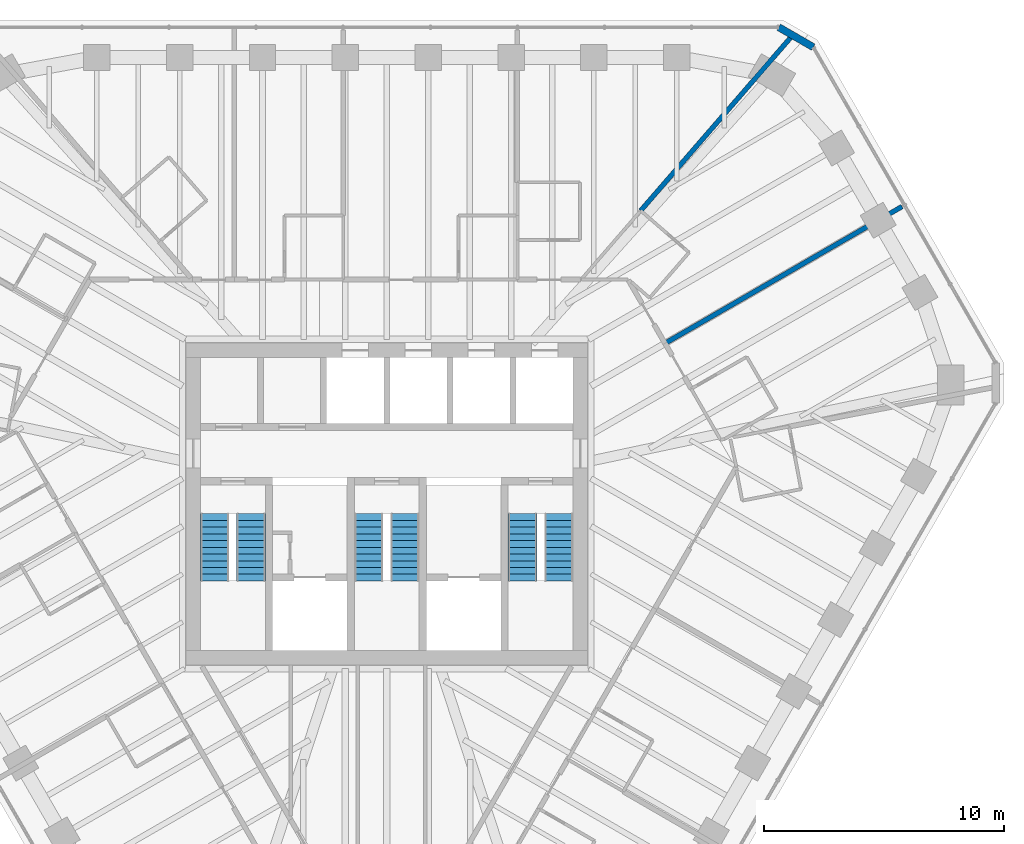
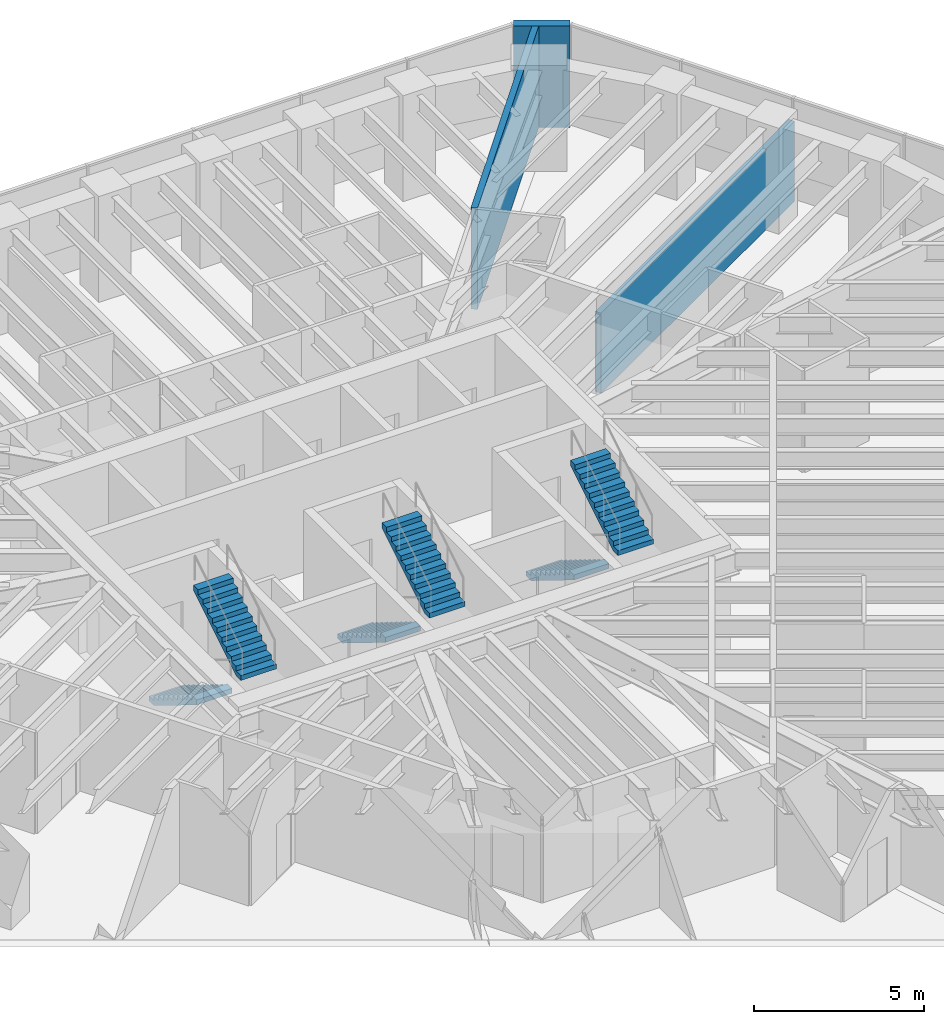
# One storey, part 13 of 14: 6 stair flights, 3 walls, 3 elements without a shape of their own.
"""IFC4 building model written with IfcOpenShell, lengths in metres."""

from ifc_helpers import new_model, si_unit, direction, frame, frame_2d, origin, place, context, subcontext, project, spatial, polyline, rectangle, outline, extrude, material, layer, layer_set, type_object, element, aggregate, save


model = new_model("IFC4")

# Units and contexts
model_context = context("Model", 3, precision=1e-05, world=origin(), true_north=direction((0.0, 1.0)))
body_context = subcontext(model_context, "Body", "Model", "MODEL_VIEW")
ifc_project = project(units=[si_unit("LENGTHUNIT", "METRE"), si_unit("AREAUNIT", "SQUARE_METRE"), si_unit("VOLUMEUNIT", "CUBIC_METRE"), si_unit("PLANEANGLEUNIT", "RADIAN"), si_unit("MASSUNIT", "GRAM", prefix="KILO")], contexts=[model_context])

# Site, building, storey
site_placement = place(None, origin())
site = spatial("IfcSite", under=ifc_project, at=site_placement, CompositionType="ELEMENT")
building_placement = place(site_placement, origin())
building = spatial("IfcBuilding", under=site, at=building_placement, Name="Sandreach Pilgrim Tower", CompositionType="ELEMENT")
storey_placement = place(building_placement, frame((0.0, 0.0, 283.60009765625)))
storey = spatial("IfcBuildingStorey", under=building, at=storey_placement, Name="L71", CompositionType="ELEMENT", Elevation=283.60009765625)

# Walls
ifc_material_1 = material(Name="Double steel stud acoustic wall, gypsum board", Category="steel")
ifc_layer_1 = layer(ifc_material_1, 0.199951171875)
ifc_layer_set_1 = layer_set([ifc_layer_1], Name="Party wall 200")
wall_type_1 = type_object("IfcWallType", Name="Party wall 200", PredefinedType="PARTITIONING", material=ifc_layer_set_1)
wall_1_placement = place(storey_placement, frame((10.56005859375, 12.199951171875, 0.0), z_axis=(0.0, 0.0, 1.0), x_axis=(0.654769010763, 0.7558290432, 0.0)))
element("IfcWall", 1, at=wall_1_placement, inside=storey, type_object=wall_type_1, Name="Party wall L71-100", PredefinedType="PARTITIONING", context=body_context, shape_type="SweptSolid", body=[
    extrude(rectangle(XDim=9.66796875, YDim=0.199951171875, at=frame_2d((4.833984375, 0.0))), origin(), (0.0, 0.0, 1.0), 3.639892578125),
])
wall_2_placement = place(storey_placement, frame((21.426025390625, 12.3701171875, 0.0), z_axis=(0.0, 0.0, 1.0), x_axis=(-0.866034991525, -0.499983393178, 0.0)))
element("IfcWall", 2, at=wall_2_placement, inside=storey, type_object=wall_type_1, Name="Party wall L71-119", PredefinedType="PARTITIONING", context=body_context, shape_type="SweptSolid", body=[
    extrude(rectangle(XDim=11.36572265625, YDim=0.199951171875, at=frame_2d((5.682861328125, 0.0))), origin(), (0.0, 0.0, 1.0), 2.8779296875),
])
ifc_material_2 = material(Name="Terracotta rainscreen on concrete", Category="masonry")
ifc_layer_2 = layer(ifc_material_2, 0.300048828125)
ifc_layer_set_2 = layer_set([ifc_layer_2], Name="Terracotta chamfer pier")
wall_type_2 = type_object("IfcWallType", Name="Terracotta chamfer pier", PredefinedType="SOLIDWALL", material=ifc_layer_set_2)
wall_3_placement = place(storey_placement, frame((16.29833984375, 19.826416015625, 0.0), z_axis=(0.0, 0.0, 1.0), x_axis=(0.866026405774, -0.499998264499, 0.0)))
element("IfcWall", 3, at=wall_3_placement, inside=storey, type_object=wall_type_2, Name="Chamfer pier L71 N", PredefinedType="SOLIDWALL", context=body_context, shape_type="SweptSolid", body=[
    extrude(rectangle(XDim=1.66015625, YDim=0.300048828125, at=frame_2d((0.830078125, 0.0))), origin(), (0.0, 0.0, 1.0), 3.639892578125),
])

# Stair, stair flights
ifc_material_3 = material(Name="Concrete 8000 psi", Category="concrete")
stair_type = type_object("IfcStairType", Name="Core exit stair", PredefinedType="HALF_TURN_STAIR", material=ifc_material_3)
stair_1_placement = place(storey_placement, origin())
stair_1 = element("IfcStair", 4, at=stair_1_placement, inside=storey, type_object=stair_type, Name="Exit stair ST1 L71", PredefinedType="HALF_TURN_STAIR")
ifc_material_4 = material(Name="Concrete 8000 psi", Category="concrete")
stair_flight_type = type_object("IfcStairFlightType", Name="Core stair flight 1200", PredefinedType="STRAIGHT", material=ifc_material_4)
stair_flight_1_placement = place(storey_placement, frame((-7.14990234375, -0.39990234375, 0.0), z_axis=(0.0, 0.0, 1.0), x_axis=(0.0, -1.0, 0.0)))
stair_flight_1 = element("IfcStairFlight", 5, at=stair_flight_1_placement, type_object=stair_flight_type, Name="ST1 flight 1", NumberOfRisers=11, NumberOfTreads=10, PredefinedType="STRAIGHT", RiserHeight=0.172727273, TreadLength=0.28, context=body_context, shape_type="SweptSolid", body=[
    extrude(outline(polyline([(0.0, 0.0), (0.0, 0.172607421875), (0.280029296875, 0.172607421875), (0.280029296875, 0.345458984375), (0.56005859375, 0.345458984375), (0.56005859375, 0.51806640625), (0.840087890625, 0.51806640625), (0.840087890625, 0.69091796875), (1.1201171875, 0.69091796875), (1.1201171875, 0.863525390625), (1.39990234375, 0.863525390625), (1.39990234375, 1.036376953125), (1.679931640625, 1.036376953125), (1.679931640625, 1.208984375), (1.9599609375, 1.208984375), (1.9599609375, 1.3818359375), (2.239990234375, 1.3818359375), (2.239990234375, 1.554443359375), (2.52001953125, 1.554443359375), (2.52001953125, 1.727294921875), (2.800048828125, 1.727294921875), (2.800048828125, 1.89990234375), (2.800048828125, 1.551025390625), (0.285400390625, 0.0), (0.0, 0.0)])), frame((0.0, 0.60009765625, 0.0), z_axis=(0.0, -1.0, 0.0), x_axis=(1.0, 0.0, 0.0)), (0.0, 0.0, 1.0), 1.199951171875),
])
stair_flight_2_placement = place(storey_placement, frame((-5.64990234375, -3.199951171875, 1.89990234375), z_axis=(0.0, 0.0, 1.0), x_axis=(0.0, 1.0, 0.0)))
stair_flight_2 = element("IfcStairFlight", 6, at=stair_flight_2_placement, type_object=stair_flight_type, Name="ST1 flight 2", NumberOfRisers=11, NumberOfTreads=10, PredefinedType="STRAIGHT", RiserHeight=0.172727273, TreadLength=0.28, context=body_context, shape_type="SweptSolid", body=[
    extrude(outline(polyline([(0.0, 0.0), (0.0, 0.172607421875), (0.280029296875, 0.172607421875), (0.280029296875, 0.345458984375), (0.56005859375, 0.345458984375), (0.56005859375, 0.51806640625), (0.840087890625, 0.51806640625), (0.840087890625, 0.69091796875), (1.1201171875, 0.69091796875), (1.1201171875, 0.863525390625), (1.39990234375, 0.863525390625), (1.39990234375, 1.036376953125), (1.679931640625, 1.036376953125), (1.679931640625, 1.208984375), (1.9599609375, 1.208984375), (1.9599609375, 1.3818359375), (2.239990234375, 1.3818359375), (2.239990234375, 1.554443359375), (2.52001953125, 1.554443359375), (2.52001953125, 1.727294921875), (2.800048828125, 1.727294921875), (2.800048828125, 1.89990234375), (2.800048828125, 1.551025390625), (0.285400390625, 0.0), (0.0, 0.0)])), frame((0.0, 0.60009765625, 0.0), z_axis=(0.0, -1.0, 0.0), x_axis=(1.0, 0.0, 0.0)), (0.0, 0.0, 1.0), 1.199951171875),
])
aggregate(stair_1, [stair_flight_1, stair_flight_2])

stair_2_placement = place(storey_placement, origin())
stair_2 = element("IfcStair", 7, at=stair_2_placement, inside=storey, type_object=stair_type, Name="Exit stair ST3 L71", PredefinedType="HALF_TURN_STAIR")
stair_flight_3_placement = place(storey_placement, frame((-0.75, -0.39990234375, 0.0), z_axis=(0.0, 0.0, 1.0), x_axis=(0.0, -1.0, 0.0)))
stair_flight_3 = element("IfcStairFlight", 8, at=stair_flight_3_placement, type_object=stair_flight_type, Name="ST3 flight 1", NumberOfRisers=11, NumberOfTreads=10, PredefinedType="STRAIGHT", RiserHeight=0.172727273, TreadLength=0.28, context=body_context, shape_type="SweptSolid", body=[
    extrude(outline(polyline([(0.0, 0.0), (0.0, 0.172607421875), (0.280029296875, 0.172607421875), (0.280029296875, 0.345458984375), (0.56005859375, 0.345458984375), (0.56005859375, 0.51806640625), (0.840087890625, 0.51806640625), (0.840087890625, 0.69091796875), (1.1201171875, 0.69091796875), (1.1201171875, 0.863525390625), (1.39990234375, 0.863525390625), (1.39990234375, 1.036376953125), (1.679931640625, 1.036376953125), (1.679931640625, 1.208984375), (1.9599609375, 1.208984375), (1.9599609375, 1.3818359375), (2.239990234375, 1.3818359375), (2.239990234375, 1.554443359375), (2.52001953125, 1.554443359375), (2.52001953125, 1.727294921875), (2.800048828125, 1.727294921875), (2.800048828125, 1.89990234375), (2.800048828125, 1.551025390625), (0.285400390625, 0.0), (0.0, 0.0)])), frame((0.0, 0.60009765625, 0.0), z_axis=(0.0, -1.0, 0.0), x_axis=(1.0, 0.0, 0.0)), (0.0, 0.0, 1.0), 1.199951171875),
])
stair_flight_4_placement = place(storey_placement, frame((0.75, -3.199951171875, 1.89990234375), z_axis=(0.0, 0.0, 1.0), x_axis=(0.0, 1.0, 0.0)))
stair_flight_4 = element("IfcStairFlight", 9, at=stair_flight_4_placement, type_object=stair_flight_type, Name="ST3 flight 2", NumberOfRisers=11, NumberOfTreads=10, PredefinedType="STRAIGHT", RiserHeight=0.172727273, TreadLength=0.28, context=body_context, shape_type="SweptSolid", body=[
    extrude(outline(polyline([(0.0, 0.0), (0.0, 0.172607421875), (0.280029296875, 0.172607421875), (0.280029296875, 0.345458984375), (0.56005859375, 0.345458984375), (0.56005859375, 0.51806640625), (0.840087890625, 0.51806640625), (0.840087890625, 0.69091796875), (1.1201171875, 0.69091796875), (1.1201171875, 0.863525390625), (1.39990234375, 0.863525390625), (1.39990234375, 1.036376953125), (1.679931640625, 1.036376953125), (1.679931640625, 1.208984375), (1.9599609375, 1.208984375), (1.9599609375, 1.3818359375), (2.239990234375, 1.3818359375), (2.239990234375, 1.554443359375), (2.52001953125, 1.554443359375), (2.52001953125, 1.727294921875), (2.800048828125, 1.727294921875), (2.800048828125, 1.89990234375), (2.800048828125, 1.551025390625), (0.285400390625, 0.0), (0.0, 0.0)])), frame((0.0, 0.60009765625, 0.0), z_axis=(0.0, -1.0, 0.0), x_axis=(1.0, 0.0, 0.0)), (0.0, 0.0, 1.0), 1.199951171875),
])
aggregate(stair_2, [stair_flight_3, stair_flight_4])

stair_3_placement = place(storey_placement, origin())
stair_3 = element("IfcStair", 10, at=stair_3_placement, inside=storey, type_object=stair_type, Name="Exit stair ST2 L71", PredefinedType="HALF_TURN_STAIR")
stair_flight_5_placement = place(storey_placement, frame((5.64990234375, -0.39990234375, 0.0), z_axis=(0.0, 0.0, 1.0), x_axis=(0.0, -1.0, 0.0)))
stair_flight_5 = element("IfcStairFlight", 11, at=stair_flight_5_placement, type_object=stair_flight_type, Name="ST2 flight 1", NumberOfRisers=11, NumberOfTreads=10, PredefinedType="STRAIGHT", RiserHeight=0.172727273, TreadLength=0.28, context=body_context, shape_type="SweptSolid", body=[
    extrude(outline(polyline([(0.0, 0.0), (0.0, 0.172607421875), (0.280029296875, 0.172607421875), (0.280029296875, 0.345458984375), (0.56005859375, 0.345458984375), (0.56005859375, 0.51806640625), (0.840087890625, 0.51806640625), (0.840087890625, 0.69091796875), (1.1201171875, 0.69091796875), (1.1201171875, 0.863525390625), (1.39990234375, 0.863525390625), (1.39990234375, 1.036376953125), (1.679931640625, 1.036376953125), (1.679931640625, 1.208984375), (1.9599609375, 1.208984375), (1.9599609375, 1.3818359375), (2.239990234375, 1.3818359375), (2.239990234375, 1.554443359375), (2.52001953125, 1.554443359375), (2.52001953125, 1.727294921875), (2.800048828125, 1.727294921875), (2.800048828125, 1.89990234375), (2.800048828125, 1.551025390625), (0.285400390625, 0.0), (0.0, 0.0)])), frame((0.0, 0.60009765625, 0.0), z_axis=(0.0, -1.0, 0.0), x_axis=(1.0, 0.0, 0.0)), (0.0, 0.0, 1.0), 1.199951171875),
])
stair_flight_6_placement = place(storey_placement, frame((7.14990234375, -3.199951171875, 1.89990234375), z_axis=(0.0, 0.0, 1.0), x_axis=(0.0, 1.0, 0.0)))
stair_flight_6 = element("IfcStairFlight", 12, at=stair_flight_6_placement, type_object=stair_flight_type, Name="ST2 flight 2", NumberOfRisers=11, NumberOfTreads=10, PredefinedType="STRAIGHT", RiserHeight=0.172727273, TreadLength=0.28, context=body_context, shape_type="SweptSolid", body=[
    extrude(outline(polyline([(0.0, 0.0), (0.0, 0.172607421875), (0.280029296875, 0.172607421875), (0.280029296875, 0.345458984375), (0.56005859375, 0.345458984375), (0.56005859375, 0.51806640625), (0.840087890625, 0.51806640625), (0.840087890625, 0.69091796875), (1.1201171875, 0.69091796875), (1.1201171875, 0.863525390625), (1.39990234375, 0.863525390625), (1.39990234375, 1.036376953125), (1.679931640625, 1.036376953125), (1.679931640625, 1.208984375), (1.9599609375, 1.208984375), (1.9599609375, 1.3818359375), (2.239990234375, 1.3818359375), (2.239990234375, 1.554443359375), (2.52001953125, 1.554443359375), (2.52001953125, 1.727294921875), (2.800048828125, 1.727294921875), (2.800048828125, 1.89990234375), (2.800048828125, 1.551025390625), (0.285400390625, 0.0), (0.0, 0.0)])), frame((0.0, 0.60009765625, 0.0), z_axis=(0.0, -1.0, 0.0), x_axis=(1.0, 0.0, 0.0)), (0.0, 0.0, 1.0), 1.199951171875),
])
aggregate(stair_3, [stair_flight_5, stair_flight_6])

save(model, "model.ifc")
